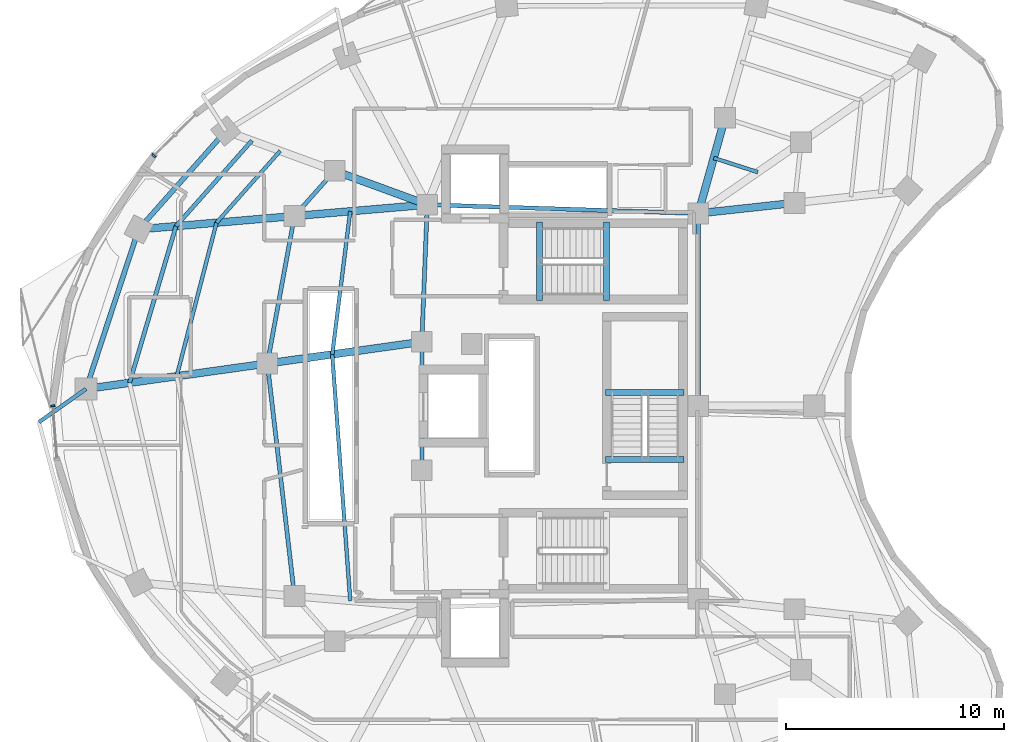
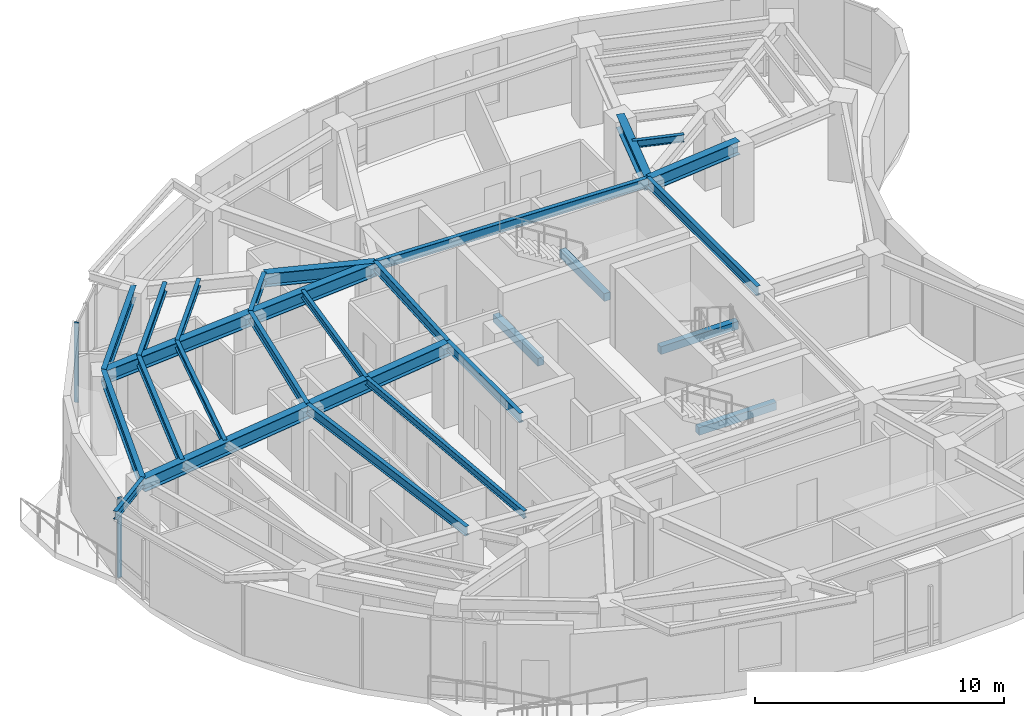
# One storey, part 3 of 13: 28 beams, 2 members, 2 elements without a shape of their own.
"""IFC4 building model written with IfcOpenShell, lengths in metres."""

import ifcopenshell
import ifcopenshell.guid

model = None  # the IFC model being written
_history = None  # IfcOwnerHistory: only IFC2X3 demands one
_inside = {}  # id of a spatial element -> (the spatial element, [elements in it])
_under = {}  # id of a project, library or spatial element -> (it, [spatial elements below it])
_declared = {}  # id of a project -> (the project, [libraries it declares])
_typed = {}  # id of a type object -> (the type object, [elements of that type])
_made_of = {}  # id of a material, layer set ... -> (it, [elements and type objects made of it])


def new_model(schema):
    """Start an empty IFC model of exactly this schema.

    Asked for "IFC4X3", IfcOpenShell would pick the latest addendum, in which some entities
    have other attributes; the version numbers below select the first issue.
    IFC2X3 requires an IfcOwnerHistory on every rooted entity: one is made here for all.
    """
    global model, _history
    if schema == "IFC4X3":
        model = ifcopenshell.file(schema_version=(4, 3, 0, 0))
    else:
        model = ifcopenshell.file(schema=schema)
    _inside.clear()
    _under.clear()
    _declared.clear()
    _typed.clear()
    _made_of.clear()
    _history = None
    if model.schema == "IFC2X3":
        org = make("IfcOrganization", Name="unknown")
        user = make(
            "IfcPersonAndOrganization",
            ThePerson=make("IfcPerson", FamilyName="unknown"),
            TheOrganization=org,
        )
        app = make(
            "IfcApplication",
            ApplicationDeveloper=org,
            Version="unknown",
            ApplicationFullName="unknown",
            ApplicationIdentifier="unknown",
        )
        _history = make(
            "IfcOwnerHistory",
            OwningUser=user,
            OwningApplication=app,
            ChangeAction="ADDED",
            CreationDate=0,
        )
    return model


def make(cls, **values):
    """One entity of the class cls with the attributes given. An attribute that is None is left unset."""
    return model.create_entity(
        cls, **{name: value for name, value in values.items() if value is not None}
    )


def rooted(cls, **values):
    """An entity with a GlobalId (a new one), such as an element, a storey or a relation."""
    return make(cls, GlobalId=ifcopenshell.guid.new(), OwnerHistory=_history, **values)


def si_unit(unit_type, name, prefix=None):
    """IfcSIUnit, for example si_unit("LENGTHUNIT", "METRE", prefix="MILLI")."""
    return make("IfcSIUnit", UnitType=unit_type, Prefix=prefix, Name=name)


def assignment(units):
    """IfcUnitAssignment: the units of a project."""
    return None if units is None else make("IfcUnitAssignment", Units=units)


def point(xyz):
    """IfcCartesianPoint."""
    return None if xyz is None else make("IfcCartesianPoint", Coordinates=xyz)


def direction(xyz):
    """IfcDirection."""
    return None if xyz is None else make("IfcDirection", DirectionRatios=xyz)


def frame(location, z_axis=None, x_axis=None):
    """IfcAxis2Placement3D, a coordinate frame: its origin and axes. An axis left out is left unset."""
    return make(
        "IfcAxis2Placement3D",
        Location=point(location),
        Axis=direction(z_axis),
        RefDirection=direction(x_axis),
    )


def frame_2d(location, x_axis=None):
    """IfcAxis2Placement2D, a coordinate frame in the plane: its origin and x axis."""
    return make(
        "IfcAxis2Placement2D", Location=point(location), RefDirection=direction(x_axis)
    )


def origin():
    """The frame at (0, 0, 0) with its axes left unset."""
    return frame((0.0, 0.0, 0.0))


def origin_2d():
    """The frame at (0, 0) in the plane with its x axis left unset."""
    return frame_2d((0.0, 0.0))


def place(relative_to, where):
    """IfcLocalPlacement: puts the frame where relative to a parent placement (None: the world)."""
    return make(
        "IfcLocalPlacement", PlacementRelTo=relative_to, RelativePlacement=where
    )


def context(
    kind, dimensions, precision=None, world=None, true_north=None, identifier=None
):
    """IfcGeometricRepresentationContext, for example the 3D "Model" context."""
    return make(
        "IfcGeometricRepresentationContext",
        ContextIdentifier=identifier,
        ContextType=kind,
        CoordinateSpaceDimension=dimensions,
        Precision=precision,
        WorldCoordinateSystem=world,
        TrueNorth=true_north,
    )


def subcontext(parent, identifier, kind, view, scale=None):
    """IfcGeometricRepresentationSubContext, for example "Body" below "Model"."""
    return make(
        "IfcGeometricRepresentationSubContext",
        ContextIdentifier=identifier,
        ContextType=kind,
        ParentContext=parent,
        TargetScale=scale,
        TargetView=view,
    )


def project(units=None, contexts=None):
    """IfcProject with its units and contexts."""
    return rooted(
        "IfcProject",
        Name="project",
        RepresentationContexts=contexts,
        UnitsInContext=assignment(units),
    )


def spatial(cls, under=None, at=None, **own):
    """A site, building, storey or space (cls), placed at a placement, below another one or the project."""
    s = rooted(cls, ObjectPlacement=at, **own)
    if under is not None:
        _under.setdefault(under.id(), (under, []))[1].append(s)
    return s


def profile(cls, at=None, kind="AREA", **sizes):
    """A parametric profile (cls). Its sizes go by their IFC names, for example OverallWidth=200.0."""
    return make(cls, ProfileType=kind, Position=at, **sizes)


def rectangle(**sizes):
    """IfcRectangleProfileDef."""
    return profile("IfcRectangleProfileDef", **sizes)


def i_section(**sizes):
    """IfcIShapeProfileDef."""
    return profile("IfcIShapeProfileDef", **sizes)


def extrude(swept, where, along, depth):
    """IfcExtrudedAreaSolid: the profile swept, set in the frame where, extruded along a direction by depth."""
    return make(
        "IfcExtrudedAreaSolid",
        SweptArea=swept,
        Position=where,
        ExtrudedDirection=direction(along),
        Depth=depth,
    )


def shape(context_of_items, identifier, shape_type, items):
    """IfcShapeRepresentation: the items that make up one representation, for example the "Body"."""
    return make(
        "IfcShapeRepresentation",
        ContextOfItems=context_of_items,
        RepresentationIdentifier=identifier,
        RepresentationType=shape_type,
        Items=items,
    )


def material(Name=None, Category=None):
    """IfcMaterial."""
    return make("IfcMaterial", Name=Name, Category=Category)


def layer(
    of_material, thickness, ventilated=None, Name=None, Category=None, Priority=None
):
    """IfcMaterialLayer: one layer of a wall or slab, of a material (None: an air gap)."""
    return make(
        "IfcMaterialLayer",
        Material=of_material,
        LayerThickness=thickness,
        IsVentilated=ventilated,
        Name=Name,
        Category=Category,
        Priority=Priority,
    )


def layer_set(layers, Name=None):
    """IfcMaterialLayerSet."""
    return make("IfcMaterialLayerSet", MaterialLayers=layers, LayerSetName=Name)


def material_profile(
    of_material, cross_section, Name=None, Category=None, Priority=None
):
    """IfcMaterialProfile: a cross section and its material."""
    return make(
        "IfcMaterialProfile",
        Name=Name,
        Material=of_material,
        Profile=cross_section,
        Priority=Priority,
        Category=Category,
    )


def profile_set(profiles, Name=None, composite=None):
    """IfcMaterialProfileSet."""
    return make(
        "IfcMaterialProfileSet",
        Name=Name,
        MaterialProfiles=profiles,
        CompositeProfile=composite,
    )


def made_of(thing, what):
    """Note that an element or type object is made of a material, layer set ...; save() writes the relation."""
    if what is not None:
        _made_of.setdefault(what.id(), (what, []))[1].append(thing)
    return thing


def type_object(cls, material=None, **own):
    """A type object (cls), such as IfcWallType, which elements share."""
    return made_of(rooted(cls, **own), material)


def element(
    cls,
    number,
    at=None,
    inside=None,
    cuts=None,
    type_object=None,
    material=None,
    context=None,
    identifier="Body",
    shape_type=None,
    held_by="IfcProductDefinitionShape",
    body=None,
    shapes=None,
    **own,
):
    """One element of the class cls, such as IfcWall. Its Tag is "e" and its number.

    at: its placement. inside: the storey or other place that contains it. cuts: it is an
    opening in that element (IfcRelVoidsElement). A single representation is given by context,
    identifier, shape_type and body (its items); several are given by shapes. held_by: the class
    of the entity that holds the representations. save() writes the other relations.
    """
    e = rooted(cls, Tag="e%d" % number, ObjectPlacement=at, **own)
    if body is not None:
        shapes = [shape(context, identifier, shape_type, body)]
    if shapes is not None:
        e.Representation = make(held_by, Representations=shapes)
    if inside is not None:
        _inside.setdefault(inside.id(), (inside, []))[1].append(e)
    if cuts is not None:
        rooted(
            "IfcRelVoidsElement", RelatingBuildingElement=cuts, RelatedOpeningElement=e
        )
    if type_object is not None:
        _typed.setdefault(type_object.id(), (type_object, []))[1].append(e)
    return made_of(e, material)


def aggregate(whole, parts):
    """IfcRelAggregates: a whole, such as a stair, and the parts it consists of."""
    return rooted("IfcRelAggregates", RelatingObject=whole, RelatedObjects=parts)


def save(model, path):
    """Write the relations noted so far, then the file.

    IfcRelAggregates (storeys below a building ...), IfcRelContainedInSpatialStructure (elements
    in a storey), IfcRelDefinesByType, IfcRelAssociatesMaterial and IfcRelDeclares: one each for
    every whole, place, type object, material and project.
    """
    for whole, parts in _under.values():
        aggregate(whole, parts)
    for where, things in _inside.values():
        rooted(
            "IfcRelContainedInSpatialStructure",
            RelatedElements=things,
            RelatingStructure=where,
        )
    for kind, things in _typed.values():
        rooted("IfcRelDefinesByType", RelatedObjects=things, RelatingType=kind)
    for what, things in _made_of.values():
        rooted("IfcRelAssociatesMaterial", RelatedObjects=things, RelatingMaterial=what)
    for by, libraries in _declared.values():
        rooted("IfcRelDeclares", RelatingContext=by, RelatedDefinitions=libraries)
    model.write(path)


model = new_model("IFC4")

# Units and contexts
model_context = context("Model", 3, precision=1e-05, world=origin(), true_north=direction((0.0, 1.0)))
body_context = subcontext(model_context, "Body", "Model", "MODEL_VIEW")
ifc_project = project(units=[si_unit("LENGTHUNIT", "METRE"), si_unit("AREAUNIT", "SQUARE_METRE"), si_unit("VOLUMEUNIT", "CUBIC_METRE"), si_unit("PLANEANGLEUNIT", "RADIAN"), si_unit("MASSUNIT", "GRAM", prefix="KILO")], contexts=[model_context])

# Site, building, storey
site_placement = place(None, origin())
site = spatial("IfcSite", under=ifc_project, at=site_placement, CompositionType="ELEMENT")
building_placement = place(site_placement, origin())
building = spatial("IfcBuilding", under=site, at=building_placement, Name="Korentha Bioscience Tower", CompositionType="ELEMENT")
storey_placement = place(building_placement, frame((0.0, 0.0, 154.199951171875)))
storey = spatial("IfcBuildingStorey", under=building, at=storey_placement, Name="L35", CompositionType="ELEMENT", Elevation=154.199951171875)

# Beams
ifc_material_1 = material(Name="Concrete C50", Category="concrete")
ifc_material_profile_1 = material_profile(ifc_material_1, rectangle(XDim=0.280029296875, YDim=0.3798828125, at=origin_2d()), Name="Concrete C50")
ifc_profile_set_1 = profile_set([ifc_material_profile_1], Name="Concrete C50 (ST-HB380)")
beam_type_1 = type_object("IfcBeamType", Name="Concrete Stair Header Beam RC 280x380", PredefinedType="BEAM", material=ifc_profile_set_1)
for number, where, z_axis, x_axis, name in (
    (1, (30.25, 31.85009765625, -0.18994140625), (0.0, 1.0, 0.0), (-1.0, 0.0, 0.0), "L35 ST-1 Concrete Stair Header Beam"),
    (2, (33.330078125, 31.85009765625, 1.91015625), (0.0, 1.0, 0.0), (-1.0, 0.0, 0.0), "L35 ST-1 Half-Landing Header Beam 1"),
    (3, (36.89990234375, 24.550048828125, -0.18994140625), (-1.0, 0.0, 0.0), (0.0, -1.0, 0.0), "L35 ST-3 Concrete Stair Header Beam"),
    (4, (36.89990234375, 27.6298828125, 1.91015625), (-1.0, 0.0, 0.0), (0.0, -1.0, 0.0), "L35 ST-3 Half-Landing Header Beam 1"),
):
    element("IfcBeam", number, at=place(storey_placement, frame(where, z_axis=z_axis, x_axis=x_axis)), inside=storey, type_object=beam_type_1, Name=name, PredefinedType="BEAM", context=body_context, shape_type="SweptSolid", body=[
        extrude(rectangle(XDim=0.280029296875, YDim=0.3798828125, at=origin_2d()), origin(), (0.0, 0.0, 1.0), 3.599853515625),
    ])
ifc_material_2 = material(Name="Steel S355", Category="steel")
ifc_material_profile_2 = material_profile(ifc_material_2, i_section(OverallWidth=0.18994140625, OverallDepth=0.45703125, WebThickness=0.009033203125, FlangeThickness=0.014404296875, at=origin_2d()), Name="Steel S355")
ifc_profile_set_2 = profile_set([ifc_material_profile_2], Name="Steel S355 (MB-460)")
beam_type_2 = type_object("IfcBeamType", Name="Mid-Ring Tie Girder W460x74", PredefinedType="BEAM", material=ifc_profile_set_2)
beam_1_placement = place(storey_placement, frame((20.84228515625, 37.807861328125, 3.671630859375), z_axis=(-0.663512238321, -0.748165429299, 0.0), x_axis=(0.748165429299, -0.663512238321, 0.0)))
element("IfcBeam", 5, at=beam_1_placement, inside=storey, type_object=beam_type_2, Name="L35 Mid-Ring Tie Girder 05", PredefinedType="BEAM", context=body_context, shape_type="SweptSolid", body=[
    extrude(i_section(OverallWidth=0.18994140625, OverallDepth=0.45703125, WebThickness=0.009033203125, FlangeThickness=0.014404296875, at=origin_2d()), origin(), (0.0, 0.0, 1.0), 2.77734375),
])
beam_2_placement = place(storey_placement, frame((18.99951171875, 35.72998046875, 3.671630859375), z_axis=(-0.180880998363, -0.98350498953, 0.0), x_axis=(0.98350498953, -0.180880998363, 0.0)))
element("IfcBeam", 6, at=beam_2_placement, inside=storey, type_object=beam_type_2, Name="L35 Mid-Ring Tie Girder 06", PredefinedType="BEAM", context=body_context, shape_type="SweptSolid", body=[
    extrude(i_section(OverallWidth=0.18994140625, OverallDepth=0.45703125, WebThickness=0.009033203125, FlangeThickness=0.014404296875, at=origin_2d()), origin(), (0.0, 0.0, 1.0), 6.888916015625),
])
beam_3_placement = place(storey_placement, frame((17.75341796875, 28.95458984375, 3.671630859375), z_axis=(0.115840395246, -0.993267840428, 0.0), x_axis=(0.993267840428, 0.115840395246, 0.0)))
element("IfcBeam", 7, at=beam_3_placement, inside=storey, type_object=beam_type_2, Name="L35 Mid-Ring Tie Girder 07", PredefinedType="BEAM", context=body_context, shape_type="SweptSolid", body=[
    extrude(i_section(OverallWidth=0.18994140625, OverallDepth=0.45703125, WebThickness=0.009033203125, FlangeThickness=0.014404296875, at=origin_2d()), origin(), (0.0, 0.0, 1.0), 10.757080078125),
])
beam_4_placement = place(storey_placement, frame((37.550048828125, 35.85009765625, 3.671630859375), z_axis=(-0.999484526071, 0.032104238723, 0.0), x_axis=(-0.032104238723, -0.999484526071, 0.0)))
element("IfcBeam", 8, at=beam_4_placement, inside=storey, type_object=beam_type_2, Name="L35 Core Ring Tie Girder 01", PredefinedType="BEAM", context=body_context, shape_type="SweptSolid", body=[
    extrude(i_section(OverallWidth=0.18994140625, OverallDepth=0.45703125, WebThickness=0.009033203125, FlangeThickness=0.014404296875, at=origin_2d()), origin(), (0.0, 0.0, 1.0), 12.456298828125),
])
beam_5_placement = place(storey_placement, frame((25.10009765625, 36.25, 3.671630859375), z_axis=(-0.039651025576, -0.999213588864, 0.0), x_axis=(0.999213588864, -0.039651025576, 0.0)))
element("IfcBeam", 9, at=beam_5_placement, inside=storey, type_object=beam_type_2, Name="L35 Core Ring Tie Girder 02", PredefinedType="BEAM", context=body_context, shape_type="SweptSolid", body=[
    extrude(i_section(OverallWidth=0.18994140625, OverallDepth=0.45703125, WebThickness=0.009033203125, FlangeThickness=0.014404296875, at=origin_2d()), origin(), (0.0, 0.0, 1.0), 6.304931640625),
])
beam_6_placement = place(storey_placement, frame((24.85009765625, 29.949951171875, 3.671630859375), z_axis=(0.0, -1.0, 0.0), x_axis=(1.0, 0.0, 0.0)))
element("IfcBeam", 10, at=beam_6_placement, inside=storey, type_object=beam_type_2, Name="L35 Core Ring Tie Girder 03", PredefinedType="BEAM", context=body_context, shape_type="SweptSolid", body=[
    extrude(i_section(OverallWidth=0.18994140625, OverallDepth=0.45703125, WebThickness=0.009033203125, FlangeThickness=0.014404296875, at=origin_2d()), origin(), (0.0, 0.0, 1.0), 5.89990234375),
])
beam_7_placement = place(storey_placement, frame((37.550048828125, 27.0, 3.671630859375), z_axis=(0.0, 1.0, 0.0), x_axis=(-1.0, 0.0, 0.0)))
element("IfcBeam", 11, at=beam_7_placement, inside=storey, type_object=beam_type_2, Name="L35 Core Ring Tie Girder 07", PredefinedType="BEAM", context=body_context, shape_type="SweptSolid", body=[
    extrude(i_section(OverallWidth=0.18994140625, OverallDepth=0.45703125, WebThickness=0.009033203125, FlangeThickness=0.014404296875, at=origin_2d()), origin(), (0.0, 0.0, 1.0), 8.85009765625),
])

# Curtain wall, member
ifc_material_3 = material(Name="Thermally Broken Aluminium Frame", Category="aluminium")
ifc_layer = layer(ifc_material_3, 0.219970703125, Name="Thermally Broken Aluminium Frame")
ifc_layer_set = layer_set([ifc_layer], Name="Thermally Broken Aluminium Frame (CW-T1)")
curtain_wall_type = type_object("IfcCurtainWallType", Name="Standard Bioscience Lab Unitised Curtain Wall CW-T1", PredefinedType="USERDEFINED", material=ifc_layer_set)
curtain_wall_1_placement = place(storey_placement, origin())
curtain_wall_1 = element("IfcCurtainWall", 12, at=curtain_wall_1_placement, inside=storey, type_object=curtain_wall_type, Name="L35 Curtain Wall 13", ObjectType="UNITISED", PredefinedType="USERDEFINED")
ifc_material_4 = material(Name="Anodised Aluminium 6063-T6", Category="aluminium")
ifc_material_profile_3 = material_profile(ifc_material_4, rectangle(XDim=0.090087890625, YDim=0.199951171875, at=origin_2d()), Name="Anodised Aluminium 6063-T6")
ifc_profile_set_3 = profile_set([ifc_material_profile_3], Name="Anodised Aluminium 6063-T6 (CW-MUL)")
member_type = type_object("IfcMemberType", Name="Mullion RECT 90x200", PredefinedType="MULLION", material=ifc_profile_set_3)
member_1_placement = place(storey_placement, frame((12.53515625, 38.502685546875, 0.0), z_axis=(0.0, 0.0, 1.0), x_axis=(-0.711460557971, -0.702726030862, 0.0)))
member_1 = element("IfcMember", 13, at=member_1_placement, type_object=member_type, Name="CW-L35-13 Mullion 3", PredefinedType="MULLION", context=body_context, shape_type="SweptSolid", body=[
    extrude(rectangle(XDim=0.090087890625, YDim=0.199951171875, at=origin_2d()), origin(), (0.0, 0.0, 1.0), 3.900146484375),
])
aggregate(curtain_wall_1, [member_1])

curtain_wall_2_placement = place(storey_placement, origin())
curtain_wall_2 = element("IfcCurtainWall", 14, at=curtain_wall_2_placement, inside=storey, type_object=curtain_wall_type, Name="L35 Curtain Wall 19", ObjectType="UNITISED", PredefinedType="USERDEFINED")
member_2_placement = place(storey_placement, frame((7.89599609375, 27.007568359375, 0.0), z_axis=(0.0, 0.0, 1.0), x_axis=(0.078030772566, -0.996950950916, 0.0)))
member_2 = element("IfcMember", 15, at=member_2_placement, type_object=member_type, Name="CW-L35-19 Mullion 1", PredefinedType="MULLION", context=body_context, shape_type="SweptSolid", body=[
    extrude(rectangle(XDim=0.090087890625, YDim=0.199951171875, at=origin_2d()), origin(), (0.0, 0.0, 1.0), 3.900146484375),
])
aggregate(curtain_wall_2, [member_2])

# Beams
ifc_material_profile_4 = material_profile(ifc_material_2, i_section(OverallWidth=0.22802734375, OverallDepth=0.60791015625, WebThickness=0.01123046875, FlangeThickness=0.017333984375, at=origin_2d()), Name="Steel S355")
ifc_profile_set_4 = profile_set([ifc_material_profile_4], Name="Steel S355 (SB-610)")
beam_type_3 = type_object("IfcBeamType", Name="Perimeter Ring Spandrel Girder W610x113", PredefinedType="SPANDREL", material=ifc_profile_set_4)
beam_8_placement = place(storey_placement, frame((15.843994140625, 39.63671875, 3.595947265625), z_axis=(-0.663502544942, -0.748174025782, 0.0), x_axis=(0.748174025782, -0.663502544942, 0.0)))
element("IfcBeam", 16, at=beam_8_placement, inside=storey, type_object=beam_type_3, Name="L35 Perimeter Spandrel Girder 05", PredefinedType="SPANDREL", context=body_context, shape_type="SweptSolid", body=[
    extrude(i_section(OverallWidth=0.22802734375, OverallDepth=0.60791015625, WebThickness=0.01123046875, FlangeThickness=0.017333984375, at=origin_2d()), origin(), (0.0, 0.0, 1.0), 6.037841796875),
])
beam_9_placement = place(storey_placement, frame((11.837890625, 35.119384765625, 3.595947265625), z_axis=(-0.312820215824, -0.949812356506, 0.0), x_axis=(0.949812356506, -0.312820215824, 0.0)))
element("IfcBeam", 17, at=beam_9_placement, inside=storey, type_object=beam_type_3, Name="L35 Perimeter Spandrel Girder 06", PredefinedType="SPANDREL", context=body_context, shape_type="SweptSolid", body=[
    extrude(i_section(OverallWidth=0.22802734375, OverallDepth=0.60791015625, WebThickness=0.01123046875, FlangeThickness=0.017333984375, at=origin_2d()), origin(), (0.0, 0.0, 1.0), 7.720947265625),
])
ifc_material_profile_5 = material_profile(ifc_material_2, i_section(OverallWidth=0.18994140625, OverallDepth=0.45703125, WebThickness=0.009033203125, FlangeThickness=0.014404296875, at=origin_2d()), Name="Steel S355")
ifc_profile_set_5 = profile_set([ifc_material_profile_5], Name="Steel S355 (RB-460)")
beam_type_4 = type_object("IfcBeamType", Name="Radial Laboratory Beam W460x74", PredefinedType="BEAM", material=ifc_profile_set_5)
beam_10_placement = place(storey_placement, frame((17.043701171875, 39.197998046875, 3.671630859375), z_axis=(-0.663495511182, -0.748180263467, 0.0), x_axis=(0.748180263467, -0.663495511182, 0.0)))
element("IfcBeam", 18, at=beam_10_placement, inside=storey, type_object=beam_type_4, Name="L35 Secondary Floor Beam JSTO-05", PredefinedType="BEAM", context=body_context, shape_type="SweptSolid", body=[
    extrude(i_section(OverallWidth=0.18994140625, OverallDepth=0.45703125, WebThickness=0.009033203125, FlangeThickness=0.014404296875, at=origin_2d()), origin(), (0.0, 0.0, 1.0), 5.255615234375),
])
beam_11_placement = place(storey_placement, frame((13.556640625, 35.265869140625, 3.671630859375), z_axis=(-0.284283148615, -0.958740367051, 0.0), x_axis=(0.958740367051, -0.284283148615, 0.0)))
element("IfcBeam", 19, at=beam_11_placement, inside=storey, type_object=beam_type_4, Name="L35 Secondary Floor Beam JSTO-06", PredefinedType="BEAM", context=body_context, shape_type="SweptSolid", body=[
    extrude(i_section(OverallWidth=0.18994140625, OverallDepth=0.45703125, WebThickness=0.009033203125, FlangeThickness=0.014404296875, at=origin_2d()), origin(), (0.0, 0.0, 1.0), 7.50927734375),
])
ifc_material_profile_6 = material_profile(ifc_material_2, i_section(OverallWidth=0.35009765625, OverallDepth=0.64990234375, WebThickness=0.01611328125, FlangeThickness=0.02490234375, at=origin_2d()), Name="Steel S355")
ifc_profile_set_6 = profile_set([ifc_material_profile_6], Name="Steel S355 (RB-650)")
beam_type_5 = type_object("IfcBeamType", Name="Radial Laboratory Girder CVS 650x208", PredefinedType="BEAM", material=ifc_profile_set_6)
beam_12_placement = place(storey_placement, frame((37.550048828125, 35.85009765625, 3.574951171875), z_axis=(0.269477001654, 0.963006825303, 0.0), x_axis=(-0.963006825303, 0.269477001654, 0.0)))
element("IfcBeam", 20, at=beam_12_placement, inside=storey, type_object=beam_type_5, Name="L35 Inner Radial Girder 02", PredefinedType="BEAM", context=body_context, shape_type="SweptSolid", body=[
    extrude(i_section(OverallWidth=0.35009765625, OverallDepth=0.64990234375, WebThickness=0.01611328125, FlangeThickness=0.02490234375, at=origin_2d()), origin(), (0.0, 0.0, 1.0), 4.559814453125),
])
beam_13_placement = place(storey_placement, frame((25.10009765625, 36.25, 3.574951171875), z_axis=(-0.939113952431, 0.343605856105, 0.0), x_axis=(-0.343605856105, -0.939113952431, 0.0)))
element("IfcBeam", 21, at=beam_13_placement, inside=storey, type_object=beam_type_5, Name="L35 Inner Radial Girder 05", PredefinedType="BEAM", context=body_context, shape_type="SweptSolid", body=[
    extrude(i_section(OverallWidth=0.35009765625, OverallDepth=0.64990234375, WebThickness=0.01611328125, FlangeThickness=0.02490234375, at=origin_2d()), origin(), (0.0, 0.0, 1.0), 4.533935546875),
])
beam_14_placement = place(storey_placement, frame((25.10009765625, 36.25, 3.574951171875), z_axis=(-0.996386672138, -0.084932912264, 0.0), x_axis=(0.084932912264, -0.996386672138, 0.0)))
element("IfcBeam", 22, at=beam_14_placement, inside=storey, type_object=beam_type_5, Name="L35 Inner Radial Girder 06", PredefinedType="BEAM", context=body_context, shape_type="SweptSolid", body=[
    extrude(i_section(OverallWidth=0.35009765625, OverallDepth=0.64990234375, WebThickness=0.01611328125, FlangeThickness=0.02490234375, at=origin_2d()), origin(), (0.0, 0.0, 1.0), 6.122802734375),
])
beam_15_placement = place(storey_placement, frame((18.99951171875, 35.72998046875, 3.574951171875), z_axis=(-0.996385111181, -0.084951222577, 0.0), x_axis=(0.084951222577, -0.996385111181, 0.0)))
element("IfcBeam", 23, at=beam_15_placement, inside=storey, type_object=beam_type_5, Name="L35 Outer Radial Girder 06", PredefinedType="BEAM", context=body_context, shape_type="SweptSolid", body=[
    extrude(i_section(OverallWidth=0.35009765625, OverallDepth=0.64990234375, WebThickness=0.01611328125, FlangeThickness=0.02490234375, at=origin_2d()), origin(), (0.0, 0.0, 1.0), 7.1875),
])
beam_16_placement = place(storey_placement, frame((24.85009765625, 29.949951171875, 3.574951171875), z_axis=(-0.990306724295, -0.138897774699, 0.0), x_axis=(0.138897774699, -0.990306724295, 0.0)))
element("IfcBeam", 24, at=beam_16_placement, inside=storey, type_object=beam_type_5, Name="L35 Inner Radial Girder 07", PredefinedType="BEAM", context=body_context, shape_type="SweptSolid", body=[
    extrude(i_section(OverallWidth=0.35009765625, OverallDepth=0.64990234375, WebThickness=0.01611328125, FlangeThickness=0.02490234375, at=origin_2d()), origin(), (0.0, 0.0, 1.0), 7.166259765625),
])
beam_17_placement = place(storey_placement, frame((17.75341796875, 28.95458984375, 3.574951171875), z_axis=(-0.990302735089, -0.138926213782, 0.0), x_axis=(0.138926213782, -0.990302735089, 0.0)))
element("IfcBeam", 25, at=beam_17_placement, inside=storey, type_object=beam_type_5, Name="L35 Outer Radial Girder 07", PredefinedType="BEAM", context=body_context, shape_type="SweptSolid", body=[
    extrude(i_section(OverallWidth=0.35009765625, OverallDepth=0.64990234375, WebThickness=0.01611328125, FlangeThickness=0.02490234375, at=origin_2d()), origin(), (0.0, 0.0, 1.0), 8.412353515625),
])
beam_18_placement = place(storey_placement, frame((37.550048828125, 35.85009765625, 3.574951171875), z_axis=(0.994118939953, 0.108293735857, 0.0), x_axis=(-0.108293735857, 0.994118939953, 0.0)))
element("IfcBeam", 26, at=beam_18_placement, inside=storey, type_object=beam_type_5, Name="L35 Inner Radial Girder 16", PredefinedType="BEAM", context=body_context, shape_type="SweptSolid", body=[
    extrude(i_section(OverallWidth=0.35009765625, OverallDepth=0.64990234375, WebThickness=0.01611328125, FlangeThickness=0.02490234375, at=origin_2d()), origin(), (0.0, 0.0, 1.0), 4.4501953125),
])
ifc_material_profile_7 = material_profile(ifc_material_2, i_section(OverallWidth=0.1708984375, OverallDepth=0.35498046875, WebThickness=0.007080078125, FlangeThickness=0.01171875, at=origin_2d()), Name="Steel S355")
ifc_profile_set_7 = profile_set([ifc_material_profile_7], Name="Steel S355 (JB-360)")
beam_type_6 = type_object("IfcBeamType", Name="Secondary Laboratory Joist W360x51", PredefinedType="JOIST", material=ifc_profile_set_7)
beam_19_placement = place(storey_placement, frame((40.290283203125, 37.7451171875, 3.72265625), z_axis=(-0.952010669267, 0.306064838885, 0.0), x_axis=(-0.306064838885, -0.952010669267, 0.0)))
element("IfcBeam", 27, at=beam_19_placement, inside=storey, type_object=beam_type_6, Name="L35 Inner Bay Joist 01", PredefinedType="JOIST", context=body_context, shape_type="SweptSolid", body=[
    extrude(i_section(OverallWidth=0.1708984375, OverallDepth=0.35498046875, WebThickness=0.007080078125, FlangeThickness=0.01171875, at=origin_2d()), origin(), (0.0, 0.0, 1.0), 2.1298828125),
])
beam_20_placement = place(storey_placement, frame((18.343017578125, 38.722412109375, 3.72265625), z_axis=(-0.663462598754, -0.748209449322, 0.0), x_axis=(0.748209449322, -0.663462598754, 0.0)))
element("IfcBeam", 28, at=beam_20_placement, inside=storey, type_object=beam_type_6, Name="L35 Secondary Floor Beam JST-05", PredefinedType="JOIST", context=body_context, shape_type="SweptSolid", body=[
    extrude(i_section(OverallWidth=0.1708984375, OverallDepth=0.35498046875, WebThickness=0.007080078125, FlangeThickness=0.01171875, at=origin_2d()), origin(), (0.0, 0.0, 1.0), 4.40771484375),
])
beam_21_placement = place(storey_placement, frame((15.418701171875, 35.424560546875, 3.72265625), z_axis=(-0.251203958933, -0.967934177006, 0.0), x_axis=(0.967934177006, -0.251203958933, 0.0)))
element("IfcBeam", 29, at=beam_21_placement, inside=storey, type_object=beam_type_6, Name="L35 Secondary Floor Beam JST-06", PredefinedType="JOIST", context=body_context, shape_type="SweptSolid", body=[
    extrude(i_section(OverallWidth=0.1708984375, OverallDepth=0.35498046875, WebThickness=0.007080078125, FlangeThickness=0.01171875, at=origin_2d()), origin(), (0.0, 0.0, 1.0), 7.2880859375),
])
beam_22_placement = place(storey_placement, frame((21.561767578125, 35.9482421875, 3.72265625), z_axis=(-0.124914239886, -0.992167542643, 0.0), x_axis=(0.992167542643, -0.124914239886, 0.0)))
element("IfcBeam", 30, at=beam_22_placement, inside=storey, type_object=beam_type_6, Name="L35 Inner Bay Joist 06", PredefinedType="JOIST", context=body_context, shape_type="SweptSolid", body=[
    extrude(i_section(OverallWidth=0.1708984375, OverallDepth=0.35498046875, WebThickness=0.007080078125, FlangeThickness=0.01171875, at=origin_2d()), origin(), (0.0, 0.0, 1.0), 6.627685546875),
])
beam_23_placement = place(storey_placement, frame((20.73388671875, 29.37255859375, 3.72265625), z_axis=(0.072934416258, -0.997336738983, 0.0), x_axis=(0.997336738983, 0.072934416258, 0.0)))
element("IfcBeam", 31, at=beam_23_placement, inside=storey, type_object=beam_type_6, Name="L35 Inner Bay Joist 07", PredefinedType="JOIST", context=body_context, shape_type="SweptSolid", body=[
    extrude(i_section(OverallWidth=0.1708984375, OverallDepth=0.35498046875, WebThickness=0.007080078125, FlangeThickness=0.01171875, at=origin_2d()), origin(), (0.0, 0.0, 1.0), 11.35107421875),
])
ifc_material_profile_8 = material_profile(ifc_material_2, i_section(OverallWidth=0.177978515625, OverallDepth=0.406982421875, WebThickness=0.0078125, FlangeThickness=0.0126953125, at=origin_2d()), Name="Steel S355")
ifc_profile_set_8 = profile_set([ifc_material_profile_8], Name="Steel S355 (CB-410)")
beam_type_7 = type_object("IfcBeamType", Name="Sun-Ledge Cantilever Beam W410x60", PredefinedType="BEAM", material=ifc_profile_set_8)
beam_24_placement = place(storey_placement, frame((9.422607421875, 27.785888671875, 3.698486328125), z_axis=(-0.816975535627, -0.576672328265, 0.0), x_axis=(0.576672328265, -0.816975535627, 0.0)))
element("IfcBeam", 32, at=beam_24_placement, inside=storey, type_object=beam_type_7, Name="L35 Balcony Cantilever Bracket A-L36-02", PredefinedType="BEAM", context=body_context, shape_type="SweptSolid", body=[
    extrude(i_section(OverallWidth=0.177978515625, OverallDepth=0.406982421875, WebThickness=0.0078125, FlangeThickness=0.0126953125, at=origin_2d()), origin(), (0.0, 0.0, 1.0), 2.6455078125),
])

save(model, "model.ifc")
